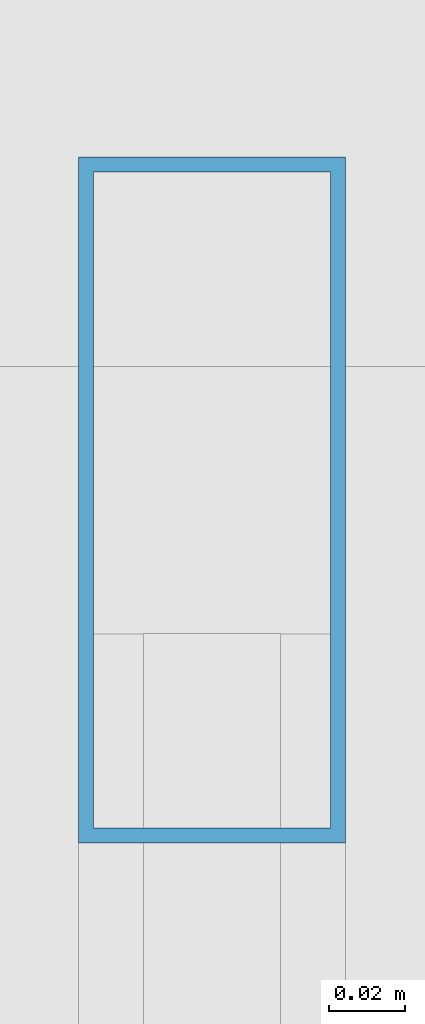
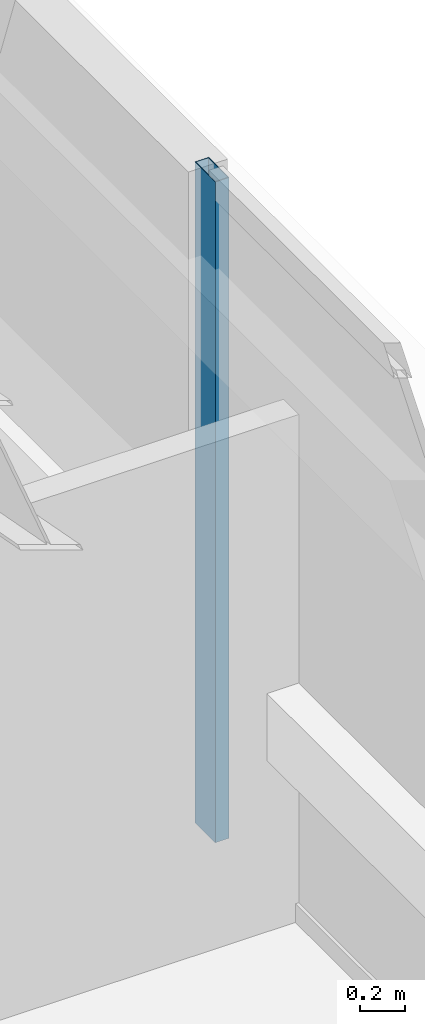
# One storey, part 26 of 65: 1 member, 1 element without a shape of its own.
"""IFC4 building model written with IfcOpenShell, lengths in metres."""

import ifcopenshell
import ifcopenshell.guid

model = None  # the IFC model being written
_history = None  # IfcOwnerHistory: only IFC2X3 demands one
_inside = {}  # id of a spatial element -> (the spatial element, [elements in it])
_under = {}  # id of a project, library or spatial element -> (it, [spatial elements below it])
_declared = {}  # id of a project -> (the project, [libraries it declares])
_typed = {}  # id of a type object -> (the type object, [elements of that type])
_made_of = {}  # id of a material, layer set ... -> (it, [elements and type objects made of it])


def new_model(schema):
    """Start an empty IFC model of exactly this schema.

    Asked for "IFC4X3", IfcOpenShell would pick the latest addendum, in which some entities
    have other attributes; the version numbers below select the first issue.
    IFC2X3 requires an IfcOwnerHistory on every rooted entity: one is made here for all.
    """
    global model, _history
    if schema == "IFC4X3":
        model = ifcopenshell.file(schema_version=(4, 3, 0, 0))
    else:
        model = ifcopenshell.file(schema=schema)
    _inside.clear()
    _under.clear()
    _declared.clear()
    _typed.clear()
    _made_of.clear()
    _history = None
    if model.schema == "IFC2X3":
        org = make("IfcOrganization", Name="unknown")
        user = make(
            "IfcPersonAndOrganization",
            ThePerson=make("IfcPerson", FamilyName="unknown"),
            TheOrganization=org,
        )
        app = make(
            "IfcApplication",
            ApplicationDeveloper=org,
            Version="unknown",
            ApplicationFullName="unknown",
            ApplicationIdentifier="unknown",
        )
        _history = make(
            "IfcOwnerHistory",
            OwningUser=user,
            OwningApplication=app,
            ChangeAction="ADDED",
            CreationDate=0,
        )
    return model


def make(cls, **values):
    """One entity of the class cls with the attributes given. An attribute that is None is left unset."""
    return model.create_entity(
        cls, **{name: value for name, value in values.items() if value is not None}
    )


def rooted(cls, **values):
    """An entity with a GlobalId (a new one), such as an element, a storey or a relation."""
    return make(cls, GlobalId=ifcopenshell.guid.new(), OwnerHistory=_history, **values)


def si_unit(unit_type, name, prefix=None):
    """IfcSIUnit, for example si_unit("LENGTHUNIT", "METRE", prefix="MILLI")."""
    return make("IfcSIUnit", UnitType=unit_type, Prefix=prefix, Name=name)


def assignment(units):
    """IfcUnitAssignment: the units of a project."""
    return None if units is None else make("IfcUnitAssignment", Units=units)


def point(xyz):
    """IfcCartesianPoint."""
    return None if xyz is None else make("IfcCartesianPoint", Coordinates=xyz)


def direction(xyz):
    """IfcDirection."""
    return None if xyz is None else make("IfcDirection", DirectionRatios=xyz)


def frame(location, z_axis=None, x_axis=None):
    """IfcAxis2Placement3D, a coordinate frame: its origin and axes. An axis left out is left unset."""
    return make(
        "IfcAxis2Placement3D",
        Location=point(location),
        Axis=direction(z_axis),
        RefDirection=direction(x_axis),
    )


def frame_2d(location, x_axis=None):
    """IfcAxis2Placement2D, a coordinate frame in the plane: its origin and x axis."""
    return make(
        "IfcAxis2Placement2D", Location=point(location), RefDirection=direction(x_axis)
    )


def origin():
    """The frame at (0, 0, 0) with its axes left unset."""
    return frame((0.0, 0.0, 0.0))


def origin_2d():
    """The frame at (0, 0) in the plane with its x axis left unset."""
    return frame_2d((0.0, 0.0))


def place(relative_to, where):
    """IfcLocalPlacement: puts the frame where relative to a parent placement (None: the world)."""
    return make(
        "IfcLocalPlacement", PlacementRelTo=relative_to, RelativePlacement=where
    )


def context(
    kind, dimensions, precision=None, world=None, true_north=None, identifier=None
):
    """IfcGeometricRepresentationContext, for example the 3D "Model" context."""
    return make(
        "IfcGeometricRepresentationContext",
        ContextIdentifier=identifier,
        ContextType=kind,
        CoordinateSpaceDimension=dimensions,
        Precision=precision,
        WorldCoordinateSystem=world,
        TrueNorth=true_north,
    )


def subcontext(parent, identifier, kind, view, scale=None):
    """IfcGeometricRepresentationSubContext, for example "Body" below "Model"."""
    return make(
        "IfcGeometricRepresentationSubContext",
        ContextIdentifier=identifier,
        ContextType=kind,
        ParentContext=parent,
        TargetScale=scale,
        TargetView=view,
    )


def project(units=None, contexts=None):
    """IfcProject with its units and contexts."""
    return rooted(
        "IfcProject",
        Name="project",
        RepresentationContexts=contexts,
        UnitsInContext=assignment(units),
    )


def spatial(cls, under=None, at=None, **own):
    """A site, building, storey or space (cls), placed at a placement, below another one or the project."""
    s = rooted(cls, ObjectPlacement=at, **own)
    if under is not None:
        _under.setdefault(under.id(), (under, []))[1].append(s)
    return s


def profile(cls, at=None, kind="AREA", **sizes):
    """A parametric profile (cls). Its sizes go by their IFC names, for example OverallWidth=200.0."""
    return make(cls, ProfileType=kind, Position=at, **sizes)


def hollow_rectangle(**sizes):
    """IfcRectangleHollowProfileDef."""
    return profile("IfcRectangleHollowProfileDef", **sizes)


def extrude(swept, where, along, depth):
    """IfcExtrudedAreaSolid: the profile swept, set in the frame where, extruded along a direction by depth."""
    return make(
        "IfcExtrudedAreaSolid",
        SweptArea=swept,
        Position=where,
        ExtrudedDirection=direction(along),
        Depth=depth,
    )


def shape(context_of_items, identifier, shape_type, items):
    """IfcShapeRepresentation: the items that make up one representation, for example the "Body"."""
    return make(
        "IfcShapeRepresentation",
        ContextOfItems=context_of_items,
        RepresentationIdentifier=identifier,
        RepresentationType=shape_type,
        Items=items,
    )


def material(Name=None, Category=None):
    """IfcMaterial."""
    return make("IfcMaterial", Name=Name, Category=Category)


def material_profile(
    of_material, cross_section, Name=None, Category=None, Priority=None
):
    """IfcMaterialProfile: a cross section and its material."""
    return make(
        "IfcMaterialProfile",
        Name=Name,
        Material=of_material,
        Profile=cross_section,
        Priority=Priority,
        Category=Category,
    )


def profile_set(profiles, Name=None, composite=None):
    """IfcMaterialProfileSet."""
    return make(
        "IfcMaterialProfileSet",
        Name=Name,
        MaterialProfiles=profiles,
        CompositeProfile=composite,
    )


def made_of(thing, what):
    """Note that an element or type object is made of a material, layer set ...; save() writes the relation."""
    if what is not None:
        _made_of.setdefault(what.id(), (what, []))[1].append(thing)
    return thing


def type_object(cls, material=None, **own):
    """A type object (cls), such as IfcWallType, which elements share."""
    return made_of(rooted(cls, **own), material)


def element(
    cls,
    number,
    at=None,
    inside=None,
    cuts=None,
    type_object=None,
    material=None,
    context=None,
    identifier="Body",
    shape_type=None,
    held_by="IfcProductDefinitionShape",
    body=None,
    shapes=None,
    **own,
):
    """One element of the class cls, such as IfcWall. Its Tag is "e" and its number.

    at: its placement. inside: the storey or other place that contains it. cuts: it is an
    opening in that element (IfcRelVoidsElement). A single representation is given by context,
    identifier, shape_type and body (its items); several are given by shapes. held_by: the class
    of the entity that holds the representations. save() writes the other relations.
    """
    e = rooted(cls, Tag="e%d" % number, ObjectPlacement=at, **own)
    if body is not None:
        shapes = [shape(context, identifier, shape_type, body)]
    if shapes is not None:
        e.Representation = make(held_by, Representations=shapes)
    if inside is not None:
        _inside.setdefault(inside.id(), (inside, []))[1].append(e)
    if cuts is not None:
        rooted(
            "IfcRelVoidsElement", RelatingBuildingElement=cuts, RelatedOpeningElement=e
        )
    if type_object is not None:
        _typed.setdefault(type_object.id(), (type_object, []))[1].append(e)
    return made_of(e, material)


def aggregate(whole, parts):
    """IfcRelAggregates: a whole, such as a stair, and the parts it consists of."""
    return rooted("IfcRelAggregates", RelatingObject=whole, RelatedObjects=parts)


def save(model, path):
    """Write the relations noted so far, then the file.

    IfcRelAggregates (storeys below a building ...), IfcRelContainedInSpatialStructure (elements
    in a storey), IfcRelDefinesByType, IfcRelAssociatesMaterial and IfcRelDeclares: one each for
    every whole, place, type object, material and project.
    """
    for whole, parts in _under.values():
        aggregate(whole, parts)
    for where, things in _inside.values():
        rooted(
            "IfcRelContainedInSpatialStructure",
            RelatedElements=things,
            RelatingStructure=where,
        )
    for kind, things in _typed.values():
        rooted("IfcRelDefinesByType", RelatedObjects=things, RelatingType=kind)
    for what, things in _made_of.values():
        rooted("IfcRelAssociatesMaterial", RelatedObjects=things, RelatingMaterial=what)
    for by, libraries in _declared.values():
        rooted("IfcRelDeclares", RelatingContext=by, RelatedDefinitions=libraries)
    model.write(path)


model = new_model("IFC4")

# Units and contexts
model_context = context("Model", 3, precision=1e-05, world=origin(), true_north=direction((0.0, 1.0)))
body_context = subcontext(model_context, "Body", "Model", "MODEL_VIEW")
ifc_project = project(units=[si_unit("LENGTHUNIT", "METRE"), si_unit("AREAUNIT", "SQUARE_METRE"), si_unit("VOLUMEUNIT", "CUBIC_METRE"), si_unit("PLANEANGLEUNIT", "RADIAN"), si_unit("MASSUNIT", "GRAM", prefix="KILO")], contexts=[model_context])

# Site, building, storey
site_placement = place(None, origin())
site = spatial("IfcSite", under=ifc_project, at=site_placement, CompositionType="ELEMENT")
building_placement = place(site_placement, origin())
building = spatial("IfcBuilding", under=site, at=building_placement, Name="Tashvorn Skyway Center", CompositionType="ELEMENT")
storey_placement = place(building_placement, frame((0.0, 0.0, 157.0)))
storey = spatial("IfcBuildingStorey", under=building, at=storey_placement, Name="L42", CompositionType="ELEMENT", Elevation=157.0)

# Curtain wall, member
ifc_material = material(Name="Thermally broken bronze-anodized aluminium 6063-T6", Category="aluminium")
curtain_wall_type = type_object("IfcCurtainWallType", Name="CW-CW-Z4", PredefinedType="NOTDEFINED", material=ifc_material)
curtain_wall_placement = place(storey_placement, origin())
curtain_wall = element("IfcCurtainWall", 1, at=curtain_wall_placement, inside=storey, type_object=curtain_wall_type, Name="Tower 1 L42 East Unitised Curtain Wall Glazing Group 1", PredefinedType="NOTDEFINED")
ifc_material_profile = material_profile(ifc_material, hollow_rectangle(XDim=0.070068359375, YDim=0.179931640625, WallThickness=0.00390625, at=origin_2d()), Name="ALU-MULL-70x180")
ifc_profile_set = profile_set([ifc_material_profile], Name="Thermally broken bronze-anodized aluminium 6063-T6")
member_type = type_object("IfcMemberType", Name="CWM-CW-Z4", PredefinedType="MULLION", material=ifc_profile_set)
member_placement = place(storey_placement, frame((59.679931640625, 43.92724609375, 0.0), z_axis=(0.0, 0.0, 1.0), x_axis=(1.0, 0.0, 0.0)))
member = element("IfcMember", 2, at=member_placement, type_object=member_type, Name="CW-Z4 mullion 1", PredefinedType="MULLION", context=body_context, shape_type="SweptSolid", body=[
    extrude(hollow_rectangle(XDim=0.070068359375, YDim=0.179931640625, WallThickness=0.00390625, at=origin_2d()), origin(), (0.0, 0.0, 1.0), 3.550048828125),
])
aggregate(curtain_wall, [member])

save(model, "model.ifc")
